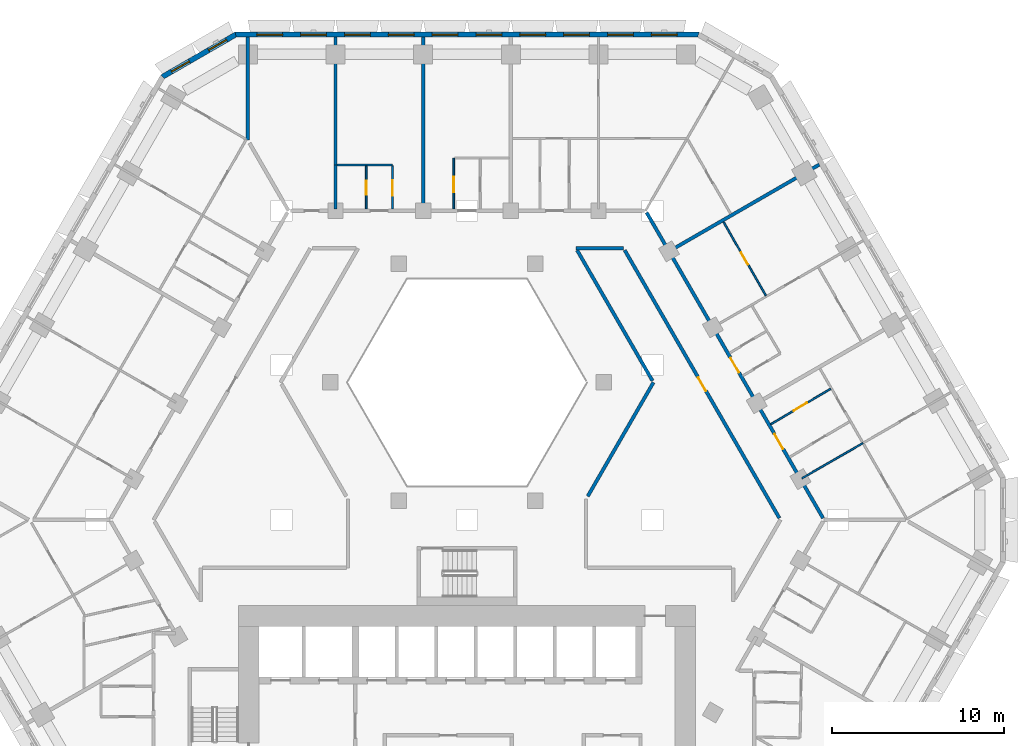
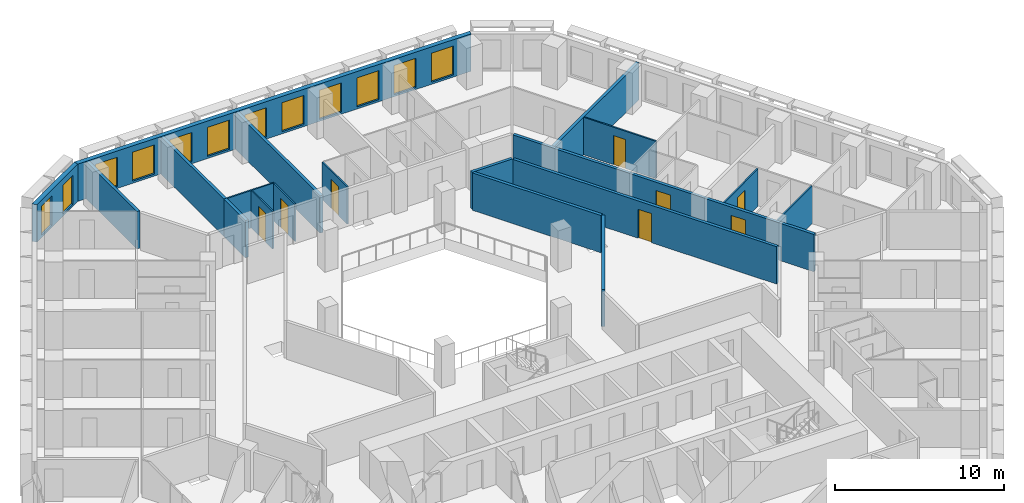
# One storey, part 10 of 21: 19 walls, 12 windows, 8 doors, 20 openings.
"""IFC4 building model written with IfcOpenShell, lengths in metres."""

from ifc_helpers import new_model, si_unit, direction, frame, frame_2d, origin, place, context, subcontext, project, spatial, polyline, rectangle, outline, extrude, material, layer, layer_set, type_object, element, fill, save


model = new_model("IFC4")

# Units and contexts
model_context = context("Model", 3, precision=1e-05, world=origin(), true_north=direction((0.0, 1.0)))
body_context = subcontext(model_context, "Body", "Model", "MODEL_VIEW")
ifc_project = project(units=[si_unit("LENGTHUNIT", "METRE"), si_unit("AREAUNIT", "SQUARE_METRE"), si_unit("VOLUMEUNIT", "CUBIC_METRE"), si_unit("PLANEANGLEUNIT", "RADIAN"), si_unit("MASSUNIT", "GRAM", prefix="KILO")], contexts=[model_context])

# Site, building, storey
site_placement = place(None, origin())
site = spatial("IfcSite", under=ifc_project, at=site_placement, CompositionType="ELEMENT")
building_placement = place(site_placement, origin())
building = spatial("IfcBuilding", under=site, at=building_placement, Name="Beryl Residences", CompositionType="ELEMENT")
storey_placement = place(building_placement, frame((0.0, 0.0, 23.39990234375)))
storey = spatial("IfcBuildingStorey", under=building, at=storey_placement, Name="L06", CompositionType="ELEMENT", Elevation=23.39990234375)

# Wall, openings, windows
ifc_material_1 = material(Name="Composite metal panel with mineral wool insulation")
ifc_layer_1 = layer(ifc_material_1, 0.300048828125)
ifc_layer_set_1 = layer_set([ifc_layer_1], Name="ES1 pale metal composite panel wall 300 mm")
wall_type_1 = type_object("IfcWallType", Name="ES1 pale metal composite panel wall 300 mm", PredefinedType="SOLIDWALL", material=ifc_layer_set_1)
wall_1_placement = place(storey_placement, frame((13.510009765625, 28.25, 0.0), z_axis=(0.0, 0.0, 1.0), x_axis=(-1.0, 0.0, 0.0)))
wall_1 = element("IfcWall", 1, at=wall_1_placement, inside=storey, type_object=wall_type_1, Name="ES1 external wall L06 N", PredefinedType="SOLIDWALL", context=body_context, shape_type="SweptSolid", body=[
    extrude(outline(polyline([(0.0, -0.14990234375), (27.02001953125, -0.14990234375), (26.939697265625, 0.14990234375), (0.080322265625, 0.14990234375), (0.0, -0.14990234375)])), origin(), (0.0, 0.0, 1.0), 2.7001953125),
])
opening_1_placement = place(wall_1_placement, frame((1.277099609375, 0.0, 0.14990234375)))
opening_1 = element("IfcOpeningElement", 2, at=opening_1_placement, cuts=wall_1, Name="Opening W1", PredefinedType="OPENING", context=body_context, shape_type="SweptSolid", body=[
    extrude(rectangle(XDim=1.5, YDim=2.10009765625, at=frame_2d((0.75, 1.050048828125))), frame((0.0, 0.159912109375, 0.0), z_axis=(0.0, -1.0, 0.0), x_axis=(1.0, 0.0, 0.0)), (0.0, 0.0, 1.0), 0.320068359375),
])
opening_2_placement = place(wall_1_placement, frame((3.8291015625, 0.0, 0.14990234375)))
opening_2 = element("IfcOpeningElement", 3, at=opening_2_placement, cuts=wall_1, Name="Opening W1", PredefinedType="OPENING", context=body_context, shape_type="SweptSolid", body=[
    extrude(rectangle(XDim=1.5, YDim=2.10009765625, at=frame_2d((0.75, 1.050048828125))), frame((0.0, 0.159912109375, 0.0), z_axis=(0.0, -1.0, 0.0), x_axis=(1.0, 0.0, 0.0)), (0.0, 0.0, 1.0), 0.320068359375),
])
opening_3_placement = place(wall_1_placement, frame((6.381103515625, 0.0, 0.14990234375)))
opening_3 = element("IfcOpeningElement", 4, at=opening_3_placement, cuts=wall_1, Name="Opening W1", PredefinedType="OPENING", context=body_context, shape_type="SweptSolid", body=[
    extrude(rectangle(XDim=1.5, YDim=2.10009765625, at=frame_2d((0.75, 1.050048828125))), frame((0.0, 0.159912109375, 0.0), z_axis=(0.0, -1.0, 0.0), x_axis=(1.0, 0.0, 0.0)), (0.0, 0.0, 1.0), 0.320068359375),
])
opening_4_placement = place(wall_1_placement, frame((8.93310546875, 0.0, 0.14990234375)))
opening_4 = element("IfcOpeningElement", 5, at=opening_4_placement, cuts=wall_1, Name="Opening W1", PredefinedType="OPENING", context=body_context, shape_type="SweptSolid", body=[
    extrude(rectangle(XDim=1.5, YDim=2.10009765625, at=frame_2d((0.75, 1.050048828125))), frame((0.0, 0.159912109375, 0.0), z_axis=(0.0, -1.0, 0.0), x_axis=(1.0, 0.0, 0.0)), (0.0, 0.0, 1.0), 0.320068359375),
])
opening_5_placement = place(wall_1_placement, frame((11.485107421875, 0.0, 0.14990234375)))
opening_5 = element("IfcOpeningElement", 6, at=opening_5_placement, cuts=wall_1, Name="Opening W1", PredefinedType="OPENING", context=body_context, shape_type="SweptSolid", body=[
    extrude(rectangle(XDim=1.5, YDim=2.10009765625, at=frame_2d((0.75, 1.050048828125))), frame((0.0, 0.159912109375, 0.0), z_axis=(0.0, -1.0, 0.0), x_axis=(1.0, 0.0, 0.0)), (0.0, 0.0, 1.0), 0.320068359375),
])
opening_6_placement = place(wall_1_placement, frame((14.037109375, 0.0, 0.14990234375)))
opening_6 = element("IfcOpeningElement", 7, at=opening_6_placement, cuts=wall_1, Name="Opening W1", PredefinedType="OPENING", context=body_context, shape_type="SweptSolid", body=[
    extrude(rectangle(XDim=1.5, YDim=2.10009765625, at=frame_2d((0.75, 1.050048828125))), frame((0.0, 0.159912109375, 0.0), z_axis=(0.0, -1.0, 0.0), x_axis=(1.0, 0.0, 0.0)), (0.0, 0.0, 1.0), 0.320068359375),
])
opening_7_placement = place(wall_1_placement, frame((16.589111328125, 0.0, 0.14990234375)))
opening_7 = element("IfcOpeningElement", 8, at=opening_7_placement, cuts=wall_1, Name="Opening W1", PredefinedType="OPENING", context=body_context, shape_type="SweptSolid", body=[
    extrude(rectangle(XDim=1.5, YDim=2.10009765625, at=frame_2d((0.75, 1.050048828125))), frame((0.0, 0.159912109375, 0.0), z_axis=(0.0, -1.0, 0.0), x_axis=(1.0, 0.0, 0.0)), (0.0, 0.0, 1.0), 0.320068359375),
])
opening_8_placement = place(wall_1_placement, frame((19.14111328125, 0.0, 0.14990234375)))
opening_8 = element("IfcOpeningElement", 9, at=opening_8_placement, cuts=wall_1, Name="Opening W1", PredefinedType="OPENING", context=body_context, shape_type="SweptSolid", body=[
    extrude(rectangle(XDim=1.5, YDim=2.10009765625, at=frame_2d((0.75, 1.050048828125))), frame((0.0, 0.159912109375, 0.0), z_axis=(0.0, -1.0, 0.0), x_axis=(1.0, 0.0, 0.0)), (0.0, 0.0, 1.0), 0.320068359375),
])
opening_9_placement = place(wall_1_placement, frame((21.693115234375, 0.0, 0.14990234375)))
opening_9 = element("IfcOpeningElement", 10, at=opening_9_placement, cuts=wall_1, Name="Opening W1", PredefinedType="OPENING", context=body_context, shape_type="SweptSolid", body=[
    extrude(rectangle(XDim=1.5, YDim=2.10009765625, at=frame_2d((0.75, 1.050048828125))), frame((0.0, 0.159912109375, 0.0), z_axis=(0.0, -1.0, 0.0), x_axis=(1.0, 0.0, 0.0)), (0.0, 0.0, 1.0), 0.320068359375),
])
opening_10_placement = place(wall_1_placement, frame((24.2451171875, 0.0, 0.14990234375)))
opening_10 = element("IfcOpeningElement", 11, at=opening_10_placement, cuts=wall_1, Name="Opening W1", PredefinedType="OPENING", context=body_context, shape_type="SweptSolid", body=[
    extrude(rectangle(XDim=1.5, YDim=2.10009765625, at=frame_2d((0.75, 1.050048828125))), frame((0.0, 0.159912109375, 0.0), z_axis=(0.0, -1.0, 0.0), x_axis=(1.0, 0.0, 0.0)), (0.0, 0.0, 1.0), 0.320068359375),
])
ifc_material_2 = material(Name="Aluminium and clear glass", Category="aluminium")
window_type_1 = type_object("IfcWindowType", Name="W1 cell window 1500 x 2100 mm", PartitioningType="SINGLE_PANEL", PredefinedType="WINDOW", material=ifc_material_2)
window_1_placement = place(opening_1_placement, origin())
window_1 = element("IfcWindow", 12, at=window_1_placement, inside=storey, type_object=window_type_1, Name="W1 window L06 N 1", OverallHeight=2.10009765625, OverallWidth=1.5, PartitioningType="SINGLE_PANEL", PredefinedType="WINDOW", context=body_context, shape_type="SweptSolid", body=[
    extrude(rectangle(XDim=1.5, YDim=2.10009765625, at=frame_2d((0.75, 1.050048828125))), frame((0.0, 0.030029296875, 0.0), z_axis=(0.0, -1.0, 0.0), x_axis=(1.0, 0.0, 0.0)), (0.0, 0.0, 1.0), 0.06005859375),
])
fill(opening_1, window_1)
window_2_placement = place(opening_2_placement, origin())
window_2 = element("IfcWindow", 13, at=window_2_placement, inside=storey, type_object=window_type_1, Name="W1 window L06 N 2", OverallHeight=2.10009765625, OverallWidth=1.5, PartitioningType="SINGLE_PANEL", PredefinedType="WINDOW", context=body_context, shape_type="SweptSolid", body=[
    extrude(rectangle(XDim=1.5, YDim=2.10009765625, at=frame_2d((0.75, 1.050048828125))), frame((0.0, 0.030029296875, 0.0), z_axis=(0.0, -1.0, 0.0), x_axis=(1.0, 0.0, 0.0)), (0.0, 0.0, 1.0), 0.06005859375),
])
fill(opening_2, window_2)
window_3_placement = place(opening_3_placement, origin())
window_3 = element("IfcWindow", 14, at=window_3_placement, inside=storey, type_object=window_type_1, Name="W1 window L06 N 3", OverallHeight=2.10009765625, OverallWidth=1.5, PartitioningType="SINGLE_PANEL", PredefinedType="WINDOW", context=body_context, shape_type="SweptSolid", body=[
    extrude(rectangle(XDim=1.5, YDim=2.10009765625, at=frame_2d((0.75, 1.050048828125))), frame((0.0, 0.030029296875, 0.0), z_axis=(0.0, -1.0, 0.0), x_axis=(1.0, 0.0, 0.0)), (0.0, 0.0, 1.0), 0.06005859375),
])
fill(opening_3, window_3)
window_4_placement = place(opening_4_placement, origin())
window_4 = element("IfcWindow", 15, at=window_4_placement, inside=storey, type_object=window_type_1, Name="W1 window L06 N 4", OverallHeight=2.10009765625, OverallWidth=1.5, PartitioningType="SINGLE_PANEL", PredefinedType="WINDOW", context=body_context, shape_type="SweptSolid", body=[
    extrude(rectangle(XDim=1.5, YDim=2.10009765625, at=frame_2d((0.75, 1.050048828125))), frame((0.0, 0.030029296875, 0.0), z_axis=(0.0, -1.0, 0.0), x_axis=(1.0, 0.0, 0.0)), (0.0, 0.0, 1.0), 0.06005859375),
])
fill(opening_4, window_4)
window_5_placement = place(opening_5_placement, origin())
window_5 = element("IfcWindow", 16, at=window_5_placement, inside=storey, type_object=window_type_1, Name="W1 window L06 N 5", OverallHeight=2.10009765625, OverallWidth=1.5, PartitioningType="SINGLE_PANEL", PredefinedType="WINDOW", context=body_context, shape_type="SweptSolid", body=[
    extrude(rectangle(XDim=1.5, YDim=2.10009765625, at=frame_2d((0.75, 1.050048828125))), frame((0.0, 0.030029296875, 0.0), z_axis=(0.0, -1.0, 0.0), x_axis=(1.0, 0.0, 0.0)), (0.0, 0.0, 1.0), 0.06005859375),
])
fill(opening_5, window_5)
window_6_placement = place(opening_6_placement, origin())
window_6 = element("IfcWindow", 17, at=window_6_placement, inside=storey, type_object=window_type_1, Name="W1 window L06 N 6", OverallHeight=2.10009765625, OverallWidth=1.5, PartitioningType="SINGLE_PANEL", PredefinedType="WINDOW", context=body_context, shape_type="SweptSolid", body=[
    extrude(rectangle(XDim=1.5, YDim=2.10009765625, at=frame_2d((0.75, 1.050048828125))), frame((0.0, 0.030029296875, 0.0), z_axis=(0.0, -1.0, 0.0), x_axis=(1.0, 0.0, 0.0)), (0.0, 0.0, 1.0), 0.06005859375),
])
fill(opening_6, window_6)
window_7_placement = place(opening_7_placement, origin())
window_7 = element("IfcWindow", 18, at=window_7_placement, inside=storey, type_object=window_type_1, Name="W1 window L06 N 7", OverallHeight=2.10009765625, OverallWidth=1.5, PartitioningType="SINGLE_PANEL", PredefinedType="WINDOW", context=body_context, shape_type="SweptSolid", body=[
    extrude(rectangle(XDim=1.5, YDim=2.10009765625, at=frame_2d((0.75, 1.050048828125))), frame((0.0, 0.030029296875, 0.0), z_axis=(0.0, -1.0, 0.0), x_axis=(1.0, 0.0, 0.0)), (0.0, 0.0, 1.0), 0.06005859375),
])
fill(opening_7, window_7)
window_8_placement = place(opening_8_placement, origin())
window_8 = element("IfcWindow", 19, at=window_8_placement, inside=storey, type_object=window_type_1, Name="W1 window L06 N 8", OverallHeight=2.10009765625, OverallWidth=1.5, PartitioningType="SINGLE_PANEL", PredefinedType="WINDOW", context=body_context, shape_type="SweptSolid", body=[
    extrude(rectangle(XDim=1.5, YDim=2.10009765625, at=frame_2d((0.75, 1.050048828125))), frame((0.0, 0.030029296875, 0.0), z_axis=(0.0, -1.0, 0.0), x_axis=(1.0, 0.0, 0.0)), (0.0, 0.0, 1.0), 0.06005859375),
])
fill(opening_8, window_8)
window_9_placement = place(opening_9_placement, origin())
window_9 = element("IfcWindow", 20, at=window_9_placement, inside=storey, type_object=window_type_1, Name="W1 window L06 N 9", OverallHeight=2.10009765625, OverallWidth=1.5, PartitioningType="SINGLE_PANEL", PredefinedType="WINDOW", context=body_context, shape_type="SweptSolid", body=[
    extrude(rectangle(XDim=1.5, YDim=2.10009765625, at=frame_2d((0.75, 1.050048828125))), frame((0.0, 0.030029296875, 0.0), z_axis=(0.0, -1.0, 0.0), x_axis=(1.0, 0.0, 0.0)), (0.0, 0.0, 1.0), 0.06005859375),
])
fill(opening_9, window_9)
window_10_placement = place(opening_10_placement, origin())
window_10 = element("IfcWindow", 21, at=window_10_placement, inside=storey, type_object=window_type_1, Name="W1 window L06 N 10", OverallHeight=2.10009765625, OverallWidth=1.5, PartitioningType="SINGLE_PANEL", PredefinedType="WINDOW", context=body_context, shape_type="SweptSolid", body=[
    extrude(rectangle(XDim=1.5, YDim=2.10009765625, at=frame_2d((0.75, 1.050048828125))), frame((0.0, 0.030029296875, 0.0), z_axis=(0.0, -1.0, 0.0), x_axis=(1.0, 0.0, 0.0)), (0.0, 0.0, 1.0), 0.06005859375),
])
fill(opening_10, window_10)

wall_2_placement = place(storey_placement, frame((-13.43505859375, 28.27001953125, 0.0), z_axis=(0.0, 0.0, 1.0), x_axis=(-0.866010750942, -0.50002537861, 0.0)))
wall_2 = element("IfcWall", 22, at=wall_2_placement, inside=storey, type_object=wall_type_1, Name="ES1 external wall L06 N-NW", PredefinedType="SOLIDWALL", context=body_context, shape_type="SweptSolid", body=[
    extrude(outline(polyline([(0.0, -0.14990234375), (4.999755859375, -0.14990234375), (4.91943359375, 0.14990234375), (0.080322265625, 0.14990234375), (0.0, -0.14990234375)])), origin(), (0.0, 0.0, 1.0), 2.7001953125),
])
opening_11_placement = place(wall_2_placement, frame((0.64990234375, 0.0, 0.14990234375)))
opening_11 = element("IfcOpeningElement", 23, at=opening_11_placement, cuts=wall_2, Name="Opening W2", PredefinedType="OPENING", context=body_context, shape_type="SweptSolid", body=[
    extrude(rectangle(XDim=1.199951171875, YDim=2.10009765625, at=frame_2d((0.60009765625, 1.050048828125))), frame((0.0, 0.159912109375, 0.0), z_axis=(0.0, -1.0, 0.0), x_axis=(1.0, 0.0, 0.0)), (0.0, 0.0, 1.0), 0.320068359375),
])
opening_12_placement = place(wall_2_placement, frame((3.14892578125, 0.0, 0.14990234375)))
opening_12 = element("IfcOpeningElement", 24, at=opening_12_placement, cuts=wall_2, Name="Opening W2", PredefinedType="OPENING", context=body_context, shape_type="SweptSolid", body=[
    extrude(rectangle(XDim=1.199951171875, YDim=2.10009765625, at=frame_2d((0.60009765625, 1.050048828125))), frame((0.0, 0.159912109375, 0.0), z_axis=(0.0, -1.0, 0.0), x_axis=(1.0, 0.0, 0.0)), (0.0, 0.0, 1.0), 0.320068359375),
])
ifc_material_3 = material(Name="Aluminium and clear glass", Category="aluminium")
window_type_2 = type_object("IfcWindowType", Name="W2 chamfer window 1200 x 2100 mm", PartitioningType="SINGLE_PANEL", PredefinedType="WINDOW", material=ifc_material_3)
window_11_placement = place(opening_11_placement, origin())
window_11 = element("IfcWindow", 25, at=window_11_placement, inside=storey, type_object=window_type_2, Name="W2 window L06 N-NW 1", OverallHeight=2.10009765625, OverallWidth=1.199951171875, PartitioningType="SINGLE_PANEL", PredefinedType="WINDOW", context=body_context, shape_type="SweptSolid", body=[
    extrude(rectangle(XDim=1.199951171875, YDim=2.10009765625, at=frame_2d((0.60009765625, 1.050048828125))), frame((0.0, 0.030029296875, 0.0), z_axis=(0.0, -1.0, 0.0), x_axis=(1.0, 0.0, 0.0)), (0.0, 0.0, 1.0), 0.06005859375),
])
fill(opening_11, window_11)
window_12_placement = place(opening_12_placement, origin())
window_12 = element("IfcWindow", 26, at=window_12_placement, inside=storey, type_object=window_type_2, Name="W2 window L06 N-NW 2", OverallHeight=2.10009765625, OverallWidth=1.199951171875, PartitioningType="SINGLE_PANEL", PredefinedType="WINDOW", context=body_context, shape_type="SweptSolid", body=[
    extrude(rectangle(XDim=1.199951171875, YDim=2.10009765625, at=frame_2d((0.60009765625, 1.050048828125))), frame((0.0, 0.030029296875, 0.0), z_axis=(0.0, -1.0, 0.0), x_axis=(1.0, 0.0, 0.0)), (0.0, 0.0, 1.0), 0.06005859375),
])
fill(opening_12, window_12)

# Wall, opening, door
ifc_material_4 = material(Name="Gypsum board partition on steel studs", Category="steel")
ifc_layer_2 = layer(ifc_material_4, 0.10009765625)
ifc_layer_set_2 = layer_set([ifc_layer_2], Name="PT1 partition 100 mm gypsum board on steel studs")
wall_type_2 = type_object("IfcWallType", Name="PT1 partition 100 mm gypsum board on steel studs", PredefinedType="PARTITIONING", material=ifc_layer_set_2)
wall_3_placement = place(storey_placement, frame((14.927978515625, 17.343994140625, 0.0), z_axis=(0.0, 0.0, 1.0), x_axis=(0.499881743012, -0.866093668724, 0.0)))
wall_3 = element("IfcWall", 27, at=wall_3_placement, inside=storey, type_object=wall_type_2, Name="Wall PT1 L06 003", PredefinedType="PARTITIONING", context=body_context, shape_type="SweptSolid", body=[
    extrude(rectangle(XDim=4.953369140625, YDim=0.10009765625, at=frame_2d((2.4765625, 0.0))), origin(), (0.0, 0.0, 1.0), 2.7001953125),
])
opening_13_placement = place(wall_3_placement, frame((2.052001953125, 0.0, 0.0)))
opening_13 = element("IfcOpeningElement", 28, at=opening_13_placement, cuts=wall_3, Name="Opening D0140", PredefinedType="OPENING", context=body_context, shape_type="SweptSolid", body=[
    extrude(rectangle(XDim=0.800048828125, YDim=2.10009765625, at=frame_2d((0.39990234375, 1.050048828125))), frame((0.0, 0.06005859375, 0.0), z_axis=(0.0, -1.0, 0.0), x_axis=(1.0, 0.0, 0.0)), (0.0, 0.0, 1.0), 0.1201171875),
])
ifc_material_5 = material(Name="Timber door leaf", Category="wood")
door_type_1 = type_object("IfcDoorType", Name="D3 bathroom door 800 x 2100 mm", OperationType="SINGLE_SWING_LEFT", PredefinedType="DOOR", material=ifc_material_5)
door_1_placement = place(opening_13_placement, origin())
door_1 = element("IfcDoor", 29, at=door_1_placement, inside=storey, type_object=door_type_1, Name="Door D0140 L06 001", OperationType="SINGLE_SWING_RIGHT", OverallHeight=2.10009765625, OverallWidth=0.800048828125, PredefinedType="DOOR", context=body_context, shape_type="SweptSolid", body=[
    extrude(rectangle(XDim=0.800048828125, YDim=2.10009765625, at=frame_2d((0.39990234375, 1.050048828125))), frame((0.0, 0.02490234375, 0.0), z_axis=(0.0, -1.0, 0.0), x_axis=(1.0, 0.0, 0.0)), (0.0, 0.0, 1.0), 0.050048828125),
])
fill(opening_13, door_1)

wall_4_placement = place(storey_placement, frame((-4.339111328125, 20.60888671875, 0.0), z_axis=(0.0, 0.0, 1.0), x_axis=(0.0, -1.0, 0.0)))
wall_4 = element("IfcWall", 30, at=wall_4_placement, inside=storey, type_object=wall_type_2, Name="Wall PT1 L06 007", PredefinedType="PARTITIONING", context=body_context, shape_type="SweptSolid", body=[
    extrude(rectangle(XDim=2.5087890625, YDim=0.10009765625, at=frame_2d((1.25439453125, 0.0))), origin(), (0.0, 0.0, 1.0), 2.7001953125),
])
opening_14_placement = place(wall_4_placement, frame((0.8291015625, 0.0, 0.0)))
opening_14 = element("IfcOpeningElement", 31, at=opening_14_placement, cuts=wall_4, Name="Opening D0153", PredefinedType="OPENING", context=body_context, shape_type="SweptSolid", body=[
    extrude(rectangle(XDim=0.89990234375, YDim=2.10009765625, at=frame_2d((0.449951171875, 1.050048828125))), frame((0.0, 0.06005859375, 0.0), z_axis=(0.0, -1.0, 0.0), x_axis=(1.0, 0.0, 0.0)), (0.0, 0.0, 1.0), 0.1201171875),
])
ifc_material_6 = material(Name="Timber door leaf", Category="wood")
door_type_2 = type_object("IfcDoorType", Name="D2 room door 900 x 2100 mm", OperationType="SINGLE_SWING_LEFT", PredefinedType="DOOR", material=ifc_material_6)
door_2_placement = place(opening_14_placement, origin())
door_2 = element("IfcDoor", 32, at=door_2_placement, inside=storey, type_object=door_type_2, Name="Door D0153 L06 001", OperationType="SINGLE_SWING_LEFT", OverallHeight=2.10009765625, OverallWidth=0.89990234375, PredefinedType="DOOR", context=body_context, shape_type="SweptSolid", body=[
    extrude(rectangle(XDim=0.89990234375, YDim=2.10009765625, at=frame_2d((0.449951171875, 1.050048828125))), frame((0.0, 0.02490234375, 0.0), z_axis=(0.0, -1.0, 0.0), x_axis=(1.0, 0.0, 0.0)), (0.0, 0.0, 1.0), 0.050048828125),
])
fill(opening_14, door_2)

# Wall
wall_5_placement = place(storey_placement, frame((-7.556884765625, 20.659912109375, 0.0), z_axis=(0.0, 0.0, 1.0), x_axis=(1.0, 0.0, 0.0)))
element("IfcWall", 33, at=wall_5_placement, inside=storey, type_object=wall_type_2, Name="Wall PT1 L06 032", PredefinedType="PARTITIONING", context=body_context, shape_type="SweptSolid", body=[
    extrude(rectangle(XDim=3.216796875, YDim=0.10009765625, at=frame_2d((1.6083984375, 0.0))), origin(), (0.0, 0.0, 1.0), 2.7001953125),
])

# Wall, opening, door
wall_6_placement = place(storey_placement, frame((-5.87109375, 18.10009765625, 0.0), z_axis=(0.0, 0.0, 1.0), x_axis=(0.0, 1.0, 0.0)))
wall_6 = element("IfcWall", 34, at=wall_6_placement, inside=storey, type_object=wall_type_2, Name="Wall PT1 L06 053", PredefinedType="PARTITIONING", context=body_context, shape_type="SweptSolid", body=[
    extrude(rectangle(XDim=2.510009765625, YDim=0.10009765625, at=frame_2d((1.2548828125, 0.0))), origin(), (0.0, 0.0, 1.0), 2.7001953125),
])
opening_15_placement = place(wall_6_placement, frame((0.830078125, 0.0, 0.0)))
opening_15 = element("IfcOpeningElement", 35, at=opening_15_placement, cuts=wall_6, Name="Opening D0154", PredefinedType="OPENING", context=body_context, shape_type="SweptSolid", body=[
    extrude(rectangle(XDim=0.800048828125, YDim=2.10009765625, at=frame_2d((0.39990234375, 1.050048828125))), frame((0.0, 0.06005859375, 0.0), z_axis=(0.0, -1.0, 0.0), x_axis=(1.0, 0.0, 0.0)), (0.0, 0.0, 1.0), 0.1201171875),
])
door_3_placement = place(opening_15_placement, origin())
door_3 = element("IfcDoor", 36, at=door_3_placement, inside=storey, type_object=door_type_1, Name="Door D0154 L06 001", OperationType="SINGLE_SWING_RIGHT", OverallHeight=2.10009765625, OverallWidth=0.800048828125, PredefinedType="DOOR", context=body_context, shape_type="SweptSolid", body=[
    extrude(rectangle(XDim=0.800048828125, YDim=2.10009765625, at=frame_2d((0.39990234375, 1.050048828125))), frame((0.0, 0.02490234375, 0.0), z_axis=(0.0, -1.0, 0.0), x_axis=(1.0, 0.0, 0.0)), (0.0, 0.0, 1.0), 0.050048828125),
])
fill(opening_15, door_3)

wall_7_placement = place(storey_placement, frame((-0.76708984375, 18.10009765625, 0.0), z_axis=(0.0, 0.0, 1.0), x_axis=(0.0, 1.0, 0.0)))
wall_7 = element("IfcWall", 37, at=wall_7_placement, inside=storey, type_object=wall_type_2, Name="Wall PT1 L06 055", PredefinedType="PARTITIONING", context=body_context, shape_type="SweptSolid", body=[
    extrude(rectangle(XDim=2.958984375, YDim=0.10009765625, at=frame_2d((1.4794921875, 0.0))), origin(), (0.0, 0.0, 1.0), 2.7001953125),
])
opening_16_placement = place(wall_7_placement, frame((0.97998046875, 0.0, 0.0)))
opening_16 = element("IfcOpeningElement", 38, at=opening_16_placement, cuts=wall_7, Name="Opening D0150", PredefinedType="OPENING", context=body_context, shape_type="SweptSolid", body=[
    extrude(rectangle(XDim=0.89990234375, YDim=2.10009765625, at=frame_2d((0.449951171875, 1.050048828125))), frame((0.0, 0.06005859375, 0.0), z_axis=(0.0, -1.0, 0.0), x_axis=(1.0, 0.0, 0.0)), (0.0, 0.0, 1.0), 0.1201171875),
])
door_4_placement = place(opening_16_placement, origin())
door_4 = element("IfcDoor", 39, at=door_4_placement, inside=storey, type_object=door_type_2, Name="Door D0150 L06 001", OperationType="SINGLE_SWING_RIGHT", OverallHeight=2.10009765625, OverallWidth=0.89990234375, PredefinedType="DOOR", context=body_context, shape_type="SweptSolid", body=[
    extrude(rectangle(XDim=0.89990234375, YDim=2.10009765625, at=frame_2d((0.449951171875, 1.050048828125))), frame((0.0, 0.02490234375, 0.0), z_axis=(0.0, -1.0, 0.0), x_axis=(1.0, 0.0, 0.0)), (0.0, 0.0, 1.0), 0.050048828125),
])
fill(opening_16, door_4)

# Wall
wall_8_placement = place(storey_placement, frame((19.5029296875, 2.4208984375, 0.0), z_axis=(0.0, 0.0, 1.0), x_axis=(0.866083434238, 0.499899474834, 0.0)))
element("IfcWall", 40, at=wall_8_placement, inside=storey, type_object=wall_type_2, Name="Wall PT1 L06 062", PredefinedType="PARTITIONING", context=body_context, shape_type="SweptSolid", body=[
    extrude(rectangle(XDim=4.098876953125, YDim=0.10009765625, at=frame_2d((2.04931640625, 0.0))), origin(), (0.0, 0.0, 1.0), 2.7001953125),
])

# Wall, opening, door
wall_9_placement = place(storey_placement, frame((17.68798828125, 5.56298828125, 0.0), z_axis=(0.0, 0.0, 1.0), x_axis=(0.860050619918, 0.510208713351, 0.0)))
wall_9 = element("IfcWall", 41, at=wall_9_placement, inside=storey, type_object=wall_type_2, Name="Wall PT1 L06 067", PredefinedType="PARTITIONING", context=body_context, shape_type="SweptSolid", body=[
    extrude(rectangle(XDim=4.051025390625, YDim=0.10009765625, at=frame_2d((2.025390625, 0.0))), origin(), (0.0, 0.0, 1.0), 2.7001953125),
])
opening_17_placement = place(wall_9_placement, frame((1.550048828125, 0.0, 0.0)))
opening_17 = element("IfcOpeningElement", 42, at=opening_17_placement, cuts=wall_9, Name="Opening D0130", PredefinedType="OPENING", context=body_context, shape_type="SweptSolid", body=[
    extrude(rectangle(XDim=0.89990234375, YDim=2.10009765625, at=frame_2d((0.449951171875, 1.050048828125))), frame((0.0, 0.06005859375, 0.0), z_axis=(0.0, -1.0, 0.0), x_axis=(1.0, 0.0, 0.0)), (0.0, 0.0, 1.0), 0.1201171875),
])
door_5_placement = place(opening_17_placement, origin())
door_5 = element("IfcDoor", 43, at=door_5_placement, inside=storey, type_object=door_type_2, Name="Door D0130 L06 001", OperationType="SINGLE_SWING_RIGHT", OverallHeight=2.10009765625, OverallWidth=0.89990234375, PredefinedType="DOOR", context=body_context, shape_type="SweptSolid", body=[
    extrude(rectangle(XDim=0.89990234375, YDim=2.10009765625, at=frame_2d((0.449951171875, 1.050048828125))), frame((0.0, 0.02490234375, 0.0), z_axis=(0.0, -1.0, 0.0), x_axis=(1.0, 0.0, 0.0)), (0.0, 0.0, 1.0), 0.050048828125),
])
fill(opening_17, door_5)

# Walls
ifc_material_7 = material(Name="Acoustic double stud gypsum board wall")
ifc_layer_3 = layer(ifc_material_7, 0.199951171875)
ifc_layer_set_3 = layer_set([ifc_layer_3], Name="PT3 party wall 200 mm acoustic double stud")
wall_type_3 = type_object("IfcWallType", Name="PT3 party wall 200 mm acoustic double stud", PredefinedType="PARTITIONING", material=ifc_layer_set_3)
wall_10_placement = place(storey_placement, frame((-7.656982421875, 28.10009765625, 0.0), z_axis=(0.0, 0.0, 1.0), x_axis=(0.0, -1.0, 0.0)))
element("IfcWall", 44, at=wall_10_placement, inside=storey, type_object=wall_type_3, Name="Wall PT3 L06 003", PredefinedType="PARTITIONING", context=body_context, shape_type="SweptSolid", body=[
    extrude(rectangle(XDim=7.440185546875, YDim=0.199951171875, at=frame_2d((3.72021484375, 0.0))), origin(), (0.0, 0.0, 1.0), 2.7001953125),
])
wall_11_placement = place(storey_placement, frame((-2.552978515625, 28.10009765625, 0.0), z_axis=(0.0, 0.0, 1.0), x_axis=(0.0, -1.0, 0.0)))
element("IfcWall", 45, at=wall_11_placement, inside=storey, type_object=wall_type_3, Name="Wall PT3 L06 005", PredefinedType="PARTITIONING", context=body_context, shape_type="SweptSolid", body=[
    extrude(rectangle(XDim=10.0, YDim=0.199951171875, at=frame_2d((5.0, 0.0))), origin(), (0.0, 0.0, 1.0), 2.7001953125),
])
wall_12_placement = place(storey_placement, frame((-7.656982421875, 18.10009765625, 0.0), z_axis=(0.0, 0.0, 1.0), x_axis=(0.0, 1.0, 0.0)))
element("IfcWall", 46, at=wall_12_placement, inside=storey, type_object=wall_type_3, Name="Wall PT3 L06 020", PredefinedType="PARTITIONING", context=body_context, shape_type="SweptSolid", body=[
    extrude(rectangle(XDim=2.559814453125, YDim=0.199951171875, at=frame_2d((1.27978515625, 0.0))), origin(), (0.0, 0.0, 1.0), 2.7001953125),
])
wall_13_placement = place(storey_placement, frame((-12.760986328125, 22.10302734375, 0.0), z_axis=(0.0, 0.0, 1.0), x_axis=(0.0, 1.0, 0.0)))
element("IfcWall", 47, at=wall_13_placement, inside=storey, type_object=wall_type_3, Name="Wall PT3 L06 021", PredefinedType="PARTITIONING", context=body_context, shape_type="SweptSolid", body=[
    extrude(rectangle(XDim=5.9970703125, YDim=0.199951171875, at=frame_2d((2.99853515625, 0.0))), origin(), (0.0, 0.0, 1.0), 2.7001953125),
])
wall_14_placement = place(storey_placement, frame((11.846923828125, 15.680908203125, 0.0), z_axis=(0.0, 0.0, 1.0), x_axis=(0.866022959057, 0.500004234368, 0.0)))
element("IfcWall", 48, at=wall_14_placement, inside=storey, type_object=wall_type_3, Name="Wall PT3 L06 026", PredefinedType="PARTITIONING", context=body_context, shape_type="SweptSolid", body=[
    extrude(rectangle(XDim=10.0, YDim=0.199951171875, at=frame_2d((5.0, 0.0))), origin(), (0.0, 0.0, 1.0), 2.7001953125),
])
ifc_material_8 = material(Name="Double stud gypsum board wall")
ifc_layer_4 = layer(ifc_material_8, 0.199951171875)
ifc_layer_set_4 = layer_set([ifc_layer_4], Name="PT4 corridor wall 200 mm double stud")
wall_type_4 = type_object("IfcWallType", Name="PT4 corridor wall 200 mm double stud", PredefinedType="PARTITIONING", material=ifc_layer_set_4)
wall_15_placement = place(storey_placement, frame((6.408935546875, 15.699951171875, 0.0), z_axis=(0.0, 0.0, 1.0), x_axis=(0.499930377127, -0.866065596838, 0.0)))
element("IfcWall", 49, at=wall_15_placement, inside=storey, type_object=wall_type_4, Name="Wall PT4 L06 004", PredefinedType="PARTITIONING", context=body_context, shape_type="SweptSolid", body=[
    extrude(rectangle(XDim=8.775146484375, YDim=0.199951171875, at=frame_2d((4.3876953125, 0.0))), origin(), (0.0, 0.0, 1.0), 2.7001953125),
])

# Wall, opening, door
wall_16_placement = place(storey_placement, frame((9.179931640625, 15.699951171875, 0.0), z_axis=(0.0, 0.0, 1.0), x_axis=(0.500003652032, -0.866023295272, 0.0)))
wall_16 = element("IfcWall", 50, at=wall_16_placement, inside=storey, type_object=wall_type_4, Name="Wall PT4 L06 005", PredefinedType="PARTITIONING", context=body_context, shape_type="SweptSolid", body=[
    extrude(rectangle(XDim=18.011962890625, YDim=0.199951171875, at=frame_2d((9.005859375, 0.0))), origin(), (0.0, 0.0, 1.0), 2.7001953125),
])
opening_18_placement = place(wall_16_placement, frame((8.555908203125, 0.0, 0.0)))
opening_18 = element("IfcOpeningElement", 51, at=opening_18_placement, cuts=wall_16, Name="Opening D0182", PredefinedType="OPENING", context=body_context, shape_type="SweptSolid", body=[
    extrude(rectangle(XDim=0.89990234375, YDim=2.10009765625, at=frame_2d((0.449951171875, 1.050048828125))), frame((0.0, 0.10986328125, 0.0), z_axis=(0.0, -1.0, 0.0), x_axis=(1.0, 0.0, 0.0)), (0.0, 0.0, 1.0), 0.219970703125),
])
door_6_placement = place(opening_18_placement, origin())
door_6 = element("IfcDoor", 52, at=door_6_placement, inside=storey, type_object=door_type_2, Name="Door D0182 L06 001", OperationType="SINGLE_SWING_RIGHT", OverallHeight=2.10009765625, OverallWidth=0.89990234375, PredefinedType="DOOR", context=body_context, shape_type="SweptSolid", body=[
    extrude(rectangle(XDim=0.89990234375, YDim=2.10009765625, at=frame_2d((0.449951171875, 1.050048828125))), frame((0.0, 0.02490234375, 0.0), z_axis=(0.0, -1.0, 0.0), x_axis=(1.0, 0.0, 0.0)), (0.0, 0.0, 1.0), 0.050048828125),
])
fill(opening_18, door_6)

# Wall, openings, doors
wall_17_placement = place(storey_placement, frame((10.449951171875, 17.89990234375, 0.0), z_axis=(0.0, 0.0, 1.0), x_axis=(0.500034352617, -0.866005569383, 0.0)))
wall_17 = element("IfcWall", 53, at=wall_17_placement, inside=storey, type_object=wall_type_4, Name="Wall PT4 L06 006", PredefinedType="PARTITIONING", context=body_context, shape_type="SweptSolid", body=[
    extrude(rectangle(XDim=20.552734375, YDim=0.199951171875, at=frame_2d((10.2763671875, 0.0))), origin(), (0.0, 0.0, 1.0), 2.7001953125),
])
opening_19_placement = place(wall_17_placement, frame((14.903076171875, 0.0, 0.0)))
opening_19 = element("IfcOpeningElement", 54, at=opening_19_placement, cuts=wall_17, Name="Opening D0128", PredefinedType="OPENING", context=body_context, shape_type="SweptSolid", body=[
    extrude(rectangle(XDim=1.0, YDim=2.10009765625, at=frame_2d((0.5, 1.050048828125))), frame((0.0, 0.10986328125, 0.0), z_axis=(0.0, -1.0, 0.0), x_axis=(1.0, 0.0, 0.0)), (0.0, 0.0, 1.0), 0.219970703125),
])
opening_20_placement = place(wall_17_placement, frame((9.77490234375, 0.0, 0.0)))
opening_20 = element("IfcOpeningElement", 55, at=opening_20_placement, cuts=wall_17, Name="Opening D0135", PredefinedType="OPENING", context=body_context, shape_type="SweptSolid", body=[
    extrude(rectangle(XDim=1.0, YDim=2.10009765625, at=frame_2d((0.5, 1.050048828125))), frame((0.0, 0.10986328125, 0.0), z_axis=(0.0, -1.0, 0.0), x_axis=(1.0, 0.0, 0.0)), (0.0, 0.0, 1.0), 0.219970703125),
])
ifc_material_9 = material(Name="Timber door leaf", Category="wood")
door_type_3 = type_object("IfcDoorType", Name="D1 flat entrance door 1000 x 2100 mm", OperationType="SINGLE_SWING_LEFT", PredefinedType="DOOR", material=ifc_material_9)
door_7_placement = place(opening_19_placement, origin())
door_7 = element("IfcDoor", 56, at=door_7_placement, inside=storey, type_object=door_type_3, Name="Door D0128 L06 001", OperationType="SINGLE_SWING_RIGHT", OverallHeight=2.10009765625, OverallWidth=1.0, PredefinedType="DOOR", context=body_context, shape_type="SweptSolid", body=[
    extrude(rectangle(XDim=1.0, YDim=2.10009765625, at=frame_2d((0.5, 1.050048828125))), frame((0.0, 0.02490234375, 0.0), z_axis=(0.0, -1.0, 0.0), x_axis=(1.0, 0.0, 0.0)), (0.0, 0.0, 1.0), 0.050048828125),
])
fill(opening_19, door_7)
door_8_placement = place(opening_20_placement, origin())
door_8 = element("IfcDoor", 57, at=door_8_placement, inside=storey, type_object=door_type_3, Name="Door D0135 L06 001", OperationType="SINGLE_SWING_LEFT", OverallHeight=2.10009765625, OverallWidth=1.0, PredefinedType="DOOR", context=body_context, shape_type="SweptSolid", body=[
    extrude(rectangle(XDim=1.0, YDim=2.10009765625, at=frame_2d((0.5, 1.050048828125))), frame((0.0, 0.02490234375, 0.0), z_axis=(0.0, -1.0, 0.0), x_axis=(1.0, 0.0, 0.0)), (0.0, 0.0, 1.0), 0.050048828125),
])
fill(opening_20, door_8)

# Walls
wall_18_placement = place(storey_placement, frame((6.35107421875, 15.800048828125, 0.0), z_axis=(0.0, 0.0, 1.0), x_axis=(1.0, 0.0, 0.0)))
element("IfcWall", 58, at=wall_18_placement, inside=storey, type_object=wall_type_4, Name="Wall PT4 L06 016", PredefinedType="PARTITIONING", context=body_context, shape_type="SweptSolid", body=[
    extrude(rectangle(XDim=2.77099609375, YDim=0.199951171875, at=frame_2d((1.385498046875, 0.0))), origin(), (0.0, 0.0, 1.0), 2.7001953125),
])
wall_19_placement = place(storey_placement, frame((7.028076171875, 1.373046875, 0.0), z_axis=(0.0, 0.0, 1.0), x_axis=(0.49998574534, 0.86603363356, 0.0)))
element("IfcWall", 59, at=wall_19_placement, inside=storey, type_object=wall_type_4, Name="Wall PT4 L06 018", PredefinedType="PARTITIONING", context=body_context, shape_type="SweptSolid", body=[
    extrude(rectangle(XDim=7.652099609375, YDim=0.199951171875, at=frame_2d((3.826171875, 0.0))), origin(), (0.0, 0.0, 1.0), 2.7001953125),
])

save(model, "model.ifc")
